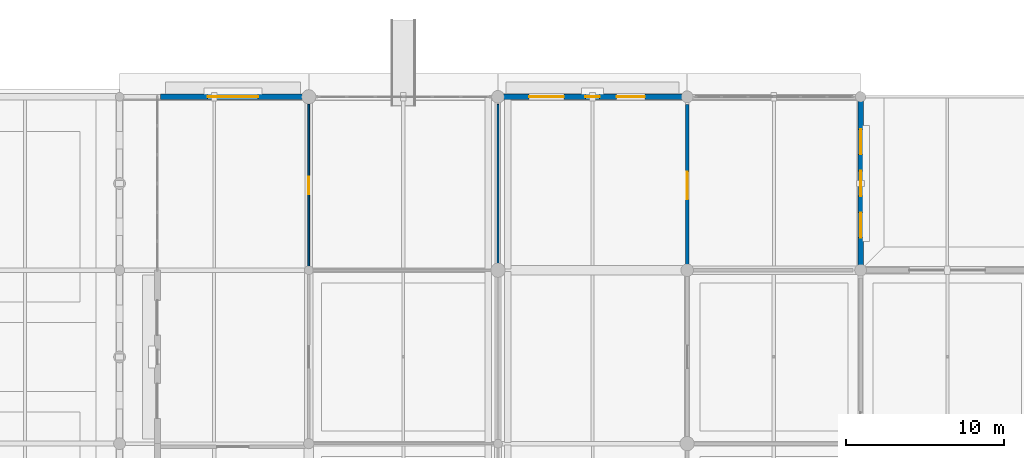
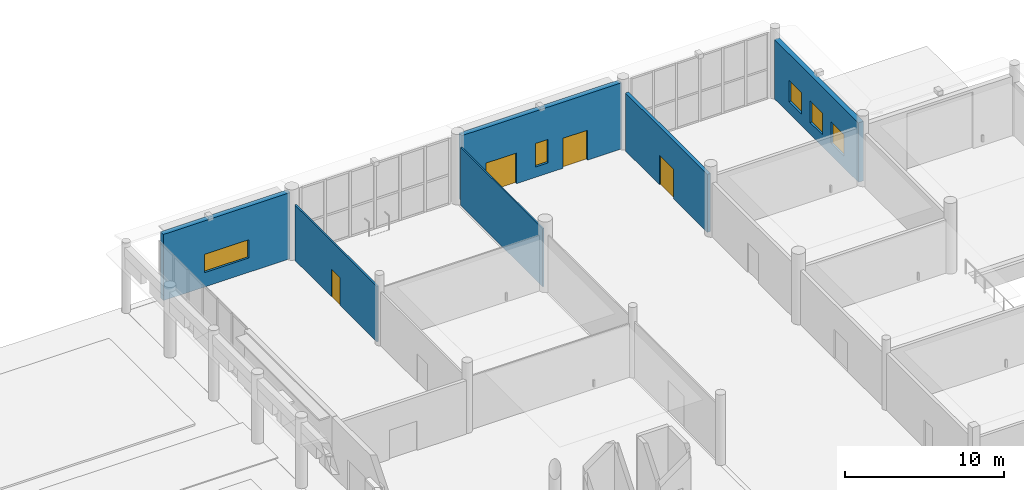
# One storey, part 70 of 120: 6 walls, 5 windows, 4 doors, 9 openings.
"""IFC4 building model written with IfcOpenShell, lengths in metres."""

from ifc_helpers import new_model, si_unit, direction, frame, frame_2d, origin, place, context, subcontext, project, spatial, rectangle, extrude, material, layer, layer_set, type_object, element, fill, save


model = new_model("IFC4")

# Units and contexts
model_context = context("Model", 3, precision=1e-05, world=origin(), true_north=direction((0.0, 1.0)))
body_context = subcontext(model_context, "Body", "Model", "MODEL_VIEW")
ifc_project = project(units=[si_unit("LENGTHUNIT", "METRE"), si_unit("AREAUNIT", "SQUARE_METRE"), si_unit("VOLUMEUNIT", "CUBIC_METRE"), si_unit("PLANEANGLEUNIT", "RADIAN"), si_unit("MASSUNIT", "GRAM", prefix="KILO")], contexts=[model_context])

# Site, building, storey
site_placement = place(None, origin())
site = spatial("IfcSite", under=ifc_project, at=site_placement, CompositionType="ELEMENT")
building_placement = place(site_placement, origin())
building = spatial("IfcBuilding", under=site, at=building_placement, Name="Luwafu Chhajja Arena", CompositionType="ELEMENT")
storey_placement = place(building_placement, origin())
storey = spatial("IfcBuildingStorey", under=building, at=storey_placement, Name="L00", CompositionType="ELEMENT", Elevation=0.0)

# Wall, opening, door
ifc_material_1 = material(Name="Concrete blockwork masonry", Category="masonry")
ifc_layer_1 = layer(ifc_material_1, 0.239990234375, Name="Concrete blockwork masonry")
ifc_layer_set_1 = layer_set([ifc_layer_1], Name="Concrete blockwork masonry")
wall_type_1 = type_object("IfcWallType", Name="Compartment Masonry Partition 240", PredefinedType="PARTITIONING", material=ifc_layer_set_1)
wall_1_placement = place(storey_placement, frame((176.0, 121.219970703125, 0.0), z_axis=(0.0, 0.0, 1.0), x_axis=(0.0, 1.0, 0.0)))
wall_1 = element("IfcWall", 1, at=wall_1_placement, inside=storey, type_object=wall_type_1, Name="L00 Internal Partition 0186", PredefinedType="PARTITIONING", context=body_context, shape_type="SweptSolid", body=[
    extrude(rectangle(XDim=10.300048828125, YDim=0.239990234375, at=frame_2d((5.14990234375, 0.0))), origin(), (0.0, 0.0, 1.0), 4.437744140625),
])
opening_1_placement = place(wall_1_placement, frame((4.27490234375, 0.0, 0.0)))
opening_1 = element("IfcOpeningElement", 2, at=opening_1_placement, cuts=wall_1, Name="Opening DR-09", PredefinedType="OPENING", context=body_context, shape_type="SweptSolid", body=[
    extrude(rectangle(XDim=1.75, YDim=2.25, at=frame_2d((0.875, 1.125))), frame((0.0, 0.1298828125, 0.0), z_axis=(0.0, -1.0, 0.0), x_axis=(1.0, 0.0, 0.0)), (0.0, 0.0, 1.0), 0.260009765625),
])
ifc_material_2 = material(Name="Powder-coated steel fire leaf", Category="steel")
door_type_1 = type_object("IfcDoorType", Name="DR-09", OperationType="DOUBLE_DOOR_SINGLE_SWING", PredefinedType="DOOR", material=ifc_material_2)
door_1_placement = place(opening_1_placement, origin())
door_1 = element("IfcDoor", 3, at=door_1_placement, inside=storey, type_object=door_type_1, Name="L00 Interior Door L00-D057", OperationType="DOUBLE_DOOR_SINGLE_SWING", OverallHeight=2.25, OverallWidth=1.75, PredefinedType="DOOR", context=body_context, shape_type="SweptSolid", body=[
    extrude(rectangle(XDim=1.75, YDim=2.25, at=frame_2d((0.875, 1.125))), frame((0.0, 0.02490234375, 0.0), z_axis=(0.0, -1.0, 0.0), x_axis=(1.0, 0.0, 0.0)), (0.0, 0.0, 1.0), 0.050048828125),
])
fill(opening_1, door_1)

# Wall
ifc_material_3 = material(Name="Gypsum plasterboard partition")
ifc_layer_2 = layer(ifc_material_3, 0.10009765625, Name="Gypsum plasterboard partition")
ifc_layer_set_2 = layer_set([ifc_layer_2], Name="Gypsum plasterboard partition")
wall_type_2 = type_object("IfcWallType", Name="Drywall Lining Partition 100", PredefinedType="PARTITIONING", material=ifc_layer_set_2)
wall_2_placement = place(storey_placement, frame((164.0, 121.219970703125, 0.0), z_axis=(0.0, 0.0, 1.0), x_axis=(0.0, 1.0, 0.0)))
element("IfcWall", 4, at=wall_2_placement, inside=storey, type_object=wall_type_2, Name="L00 Internal Partition 0180", PredefinedType="PARTITIONING", context=body_context, shape_type="SweptSolid", body=[
    extrude(rectangle(XDim=10.300048828125, YDim=0.10009765625, at=frame_2d((5.14990234375, 0.0))), origin(), (0.0, 0.0, 1.0), 4.449951171875),
])

# Wall, opening, door
ifc_material_4 = material(Name="Acoustic metal-stud gypsum board")
ifc_layer_3 = layer(ifc_material_4, 0.1201171875, Name="Acoustic metal-stud gypsum board")
ifc_layer_set_3 = layer_set([ifc_layer_3], Name="Acoustic metal-stud gypsum board")
wall_type_3 = type_object("IfcWallType", Name="Internal Room Partition 120", PredefinedType="PARTITIONING", material=ifc_layer_set_3)
wall_3_placement = place(storey_placement, frame((152.0, 121.219970703125, 0.0), z_axis=(0.0, 0.0, 1.0), x_axis=(0.0, 1.0, 0.0)))
wall_3 = element("IfcWall", 5, at=wall_3_placement, inside=storey, type_object=wall_type_3, Name="L00 Internal Partition 0175", PredefinedType="PARTITIONING", context=body_context, shape_type="SweptSolid", body=[
    extrude(rectangle(XDim=10.300048828125, YDim=0.1201171875, at=frame_2d((5.14990234375, 0.0))), origin(), (0.0, 0.0, 1.0), 4.25),
])
opening_2_placement = place(wall_3_placement, frame((4.60009765625, 0.0, 0.0)))
opening_2 = element("IfcOpeningElement", 6, at=opening_2_placement, cuts=wall_3, Name="Opening DR-20", PredefinedType="OPENING", context=body_context, shape_type="SweptSolid", body=[
    extrude(rectangle(XDim=1.10009765625, YDim=2.10009765625, at=frame_2d((0.550048828125, 1.050048828125))), frame((0.0, 0.070068359375, 0.0), z_axis=(0.0, -1.0, 0.0), x_axis=(1.0, 0.0, 0.0)), (0.0, 0.0, 1.0), 0.14013671875),
])
ifc_material_5 = material(Name="Hygienic laminate single leaf")
door_type_2 = type_object("IfcDoorType", Name="DR-20", OperationType="NOTDEFINED", PredefinedType="DOOR", material=ifc_material_5)
door_2_placement = place(opening_2_placement, origin())
door_2 = element("IfcDoor", 7, at=door_2_placement, inside=storey, type_object=door_type_2, Name="L00 Interior Door L00-D050", OperationType="SINGLE_SWING_RIGHT", OverallHeight=2.10009765625, OverallWidth=1.10009765625, PredefinedType="DOOR", context=body_context, shape_type="SweptSolid", body=[
    extrude(rectangle(XDim=1.10009765625, YDim=2.10009765625, at=frame_2d((0.550048828125, 1.050048828125))), frame((0.0, 0.02490234375, 0.0), z_axis=(0.0, -1.0, 0.0), x_axis=(1.0, 0.0, 0.0)), (0.0, 0.0, 1.0), 0.050048828125),
])
fill(opening_2, door_2)

# Wall, opening, window
ifc_material_6 = material(Name="Concrete C35/45", Category="concrete")
ifc_layer_4 = layer(ifc_material_6, 0.360107421875, Name="Concrete C35/45")
ifc_layer_set_4 = layer_set([ifc_layer_4], Name="Concrete C35/45")
wall_type_4 = type_object("IfcWallType", Name="Sandstone Backed Exterior Wall 360", PredefinedType="SOLIDWALL", material=ifc_layer_set_4)
wall_4_placement = place(storey_placement, frame((142.60009765625, 132.0, 0.0), z_axis=(0.0, 0.0, 1.0), x_axis=(1.0, 0.0, 0.0)))
wall_4 = element("IfcWall", 8, at=wall_4_placement, inside=storey, type_object=wall_type_4, Name="L00 Exterior Wall WEX-L00-085", PredefinedType="SOLIDWALL", context=body_context, shape_type="SweptSolid", body=[
    extrude(rectangle(XDim=9.179931640625, YDim=0.360107421875, at=frame_2d((4.58984375, 0.0))), origin(), (0.0, 0.0, 1.0), 5.06494140625),
])
opening_3_placement = place(wall_4_placement, frame((2.989990234375, 0.0, 1.10009765625)))
opening_3 = element("IfcOpeningElement", 9, at=opening_3_placement, cuts=wall_4, Name="Opening WN-08", PredefinedType="OPENING", context=body_context, shape_type="SweptSolid", body=[
    extrude(rectangle(XDim=3.199951171875, YDim=1.39990234375, at=frame_2d((1.60009765625, 0.699951171875))), frame((0.0, 0.18994140625, 0.0), z_axis=(0.0, -1.0, 0.0), x_axis=(1.0, 0.0, 0.0)), (0.0, 0.0, 1.0), 0.380126953125),
])
ifc_material_7 = material(Name="Solar-control laminated glass", Category="glass")
window_type_1 = type_object("IfcWindowType", Name="Warm-Up Court Clerestory Window 3200x1400", PartitioningType="SINGLE_PANEL", PredefinedType="WINDOW", material=ifc_material_7)
window_1_placement = place(opening_3_placement, origin())
window_1 = element("IfcWindow", 10, at=window_1_placement, inside=storey, type_object=window_type_1, Name="L00 Facade Window 281", OverallHeight=1.39990234375, OverallWidth=3.199951171875, PartitioningType="SINGLE_PANEL", PredefinedType="WINDOW", context=body_context, shape_type="SweptSolid", body=[
    extrude(rectangle(XDim=3.199951171875, YDim=1.39990234375, at=frame_2d((1.60009765625, 0.699951171875))), frame((0.0, 0.030029296875, 0.0), z_axis=(0.0, -1.0, 0.0), x_axis=(1.0, 0.0, 0.0)), (0.0, 0.0, 1.0), 0.06005859375),
])
fill(opening_3, window_1)

# Wall, openings, doors, window
wall_5_placement = place(storey_placement, frame((164.219970703125, 132.0, 0.0), z_axis=(0.0, 0.0, 1.0), x_axis=(1.0, 0.0, 0.0)))
wall_5 = element("IfcWall", 11, at=wall_5_placement, inside=storey, type_object=wall_type_4, Name="L00 Exterior Wall WEX-L00-088", PredefinedType="SOLIDWALL", context=body_context, shape_type="SweptSolid", body=[
    extrude(rectangle(XDim=11.56005859375, YDim=0.360107421875, at=frame_2d((5.780029296875, 0.0))), origin(), (0.0, 0.0, 1.0), 5.06494140625),
])
opening_4_placement = place(wall_5_placement, frame((1.755615234375, 0.0, 0.0)))
opening_4 = element("IfcOpeningElement", 12, at=opening_4_placement, cuts=wall_5, Name="Opening DR-03", PredefinedType="OPENING", context=body_context, shape_type="SweptSolid", body=[
    extrude(rectangle(XDim=2.199951171875, YDim=2.35009765625, at=frame_2d((1.10009765625, 1.175048828125))), frame((0.0, 0.18994140625, 0.0), z_axis=(0.0, -1.0, 0.0), x_axis=(1.0, 0.0, 0.0)), (0.0, 0.0, 1.0), 0.380126953125),
])
opening_5_placement = place(wall_5_placement, frame((7.304443359375, 0.0, 0.0)))
opening_5 = element("IfcOpeningElement", 13, at=opening_5_placement, cuts=wall_5, Name="Opening DR-04", PredefinedType="OPENING", context=body_context, shape_type="SweptSolid", body=[
    extrude(rectangle(XDim=1.800048828125, YDim=2.300048828125, at=frame_2d((0.89990234375, 1.14990234375))), frame((0.0, 0.18994140625, 0.0), z_axis=(0.0, -1.0, 0.0), x_axis=(1.0, 0.0, 0.0)), (0.0, 0.0, 1.0), 0.380126953125),
])
opening_6_placement = place(wall_5_placement, frame((5.330078125, 0.0, 0.800048828125)))
opening_6 = element("IfcOpeningElement", 14, at=opening_6_placement, cuts=wall_5, Name="Opening WN-16", PredefinedType="OPENING", context=body_context, shape_type="SweptSolid", body=[
    extrude(rectangle(XDim=0.89990234375, YDim=1.800048828125, at=frame_2d((0.449951171875, 0.89990234375))), frame((0.0, 0.18994140625, 0.0), z_axis=(0.0, -1.0, 0.0), x_axis=(1.0, 0.0, 0.0)), (0.0, 0.0, 1.0), 0.380126953125),
])
ifc_material_8 = material(Name="Powder-coated steel leaf", Category="steel")
door_type_3 = type_object("IfcDoorType", Name="DR-04", OperationType="DOUBLE_DOOR_SINGLE_SWING", PredefinedType="DOOR", material=ifc_material_8)
door_3_placement = place(opening_5_placement, origin())
door_3 = element("IfcDoor", 15, at=door_3_placement, inside=storey, type_object=door_type_3, Name="Plant service door SD-01", OperationType="DOUBLE_DOOR_SINGLE_SWING", OverallHeight=2.300048828125, OverallWidth=1.800048828125, PredefinedType="DOOR", context=body_context, shape_type="SweptSolid", body=[
    extrude(rectangle(XDim=1.800048828125, YDim=2.300048828125, at=frame_2d((0.89990234375, 1.14990234375))), frame((0.0, 0.02490234375, 0.0), z_axis=(0.0, -1.0, 0.0), x_axis=(1.0, 0.0, 0.0)), (0.0, 0.0, 1.0), 0.050048828125),
])
fill(opening_5, door_3)
ifc_material_9 = material(Name="Fire-rated bronze aluminium and glazed vision leaves", Category="aluminium")
door_type_4 = type_object("IfcDoorType", Name="DR-03", OperationType="DOUBLE_DOOR_SINGLE_SWING", PredefinedType="DOOR", material=ifc_material_9)
door_4_placement = place(opening_4_placement, origin())
door_4 = element("IfcDoor", 16, at=door_4_placement, inside=storey, type_object=door_type_4, Name="Main exit E-24", OperationType="DOUBLE_DOOR_SINGLE_SWING", OverallHeight=2.35009765625, OverallWidth=2.199951171875, PredefinedType="DOOR", context=body_context, shape_type="SweptSolid", body=[
    extrude(rectangle(XDim=2.199951171875, YDim=2.35009765625, at=frame_2d((1.10009765625, 1.175048828125))), frame((0.0, 0.02490234375, 0.0), z_axis=(0.0, -1.0, 0.0), x_axis=(1.0, 0.0, 0.0)), (0.0, 0.0, 1.0), 0.050048828125),
])
fill(opening_4, door_4)
window_type_2 = type_object("IfcWindowType", Name="Stair Core Daylight Slot Window 900x1800", PartitioningType="SINGLE_PANEL", PredefinedType="WINDOW", material=ifc_material_7)
window_2_placement = place(opening_6_placement, origin())
window_2 = element("IfcWindow", 17, at=window_2_placement, inside=storey, type_object=window_type_2, Name="L00 Facade Window 284", OverallHeight=1.800048828125, OverallWidth=0.89990234375, PartitioningType="SINGLE_PANEL", PredefinedType="WINDOW", context=body_context, shape_type="SweptSolid", body=[
    extrude(rectangle(XDim=0.89990234375, YDim=1.800048828125, at=frame_2d((0.449951171875, 0.89990234375))), frame((0.0, 0.030029296875, 0.0), z_axis=(0.0, -1.0, 0.0), x_axis=(1.0, 0.0, 0.0)), (0.0, 0.0, 1.0), 0.06005859375),
])
fill(opening_6, window_2)

# Wall, openings, windows
wall_6_placement = place(storey_placement, frame((187.0, 121.219970703125, 0.0), z_axis=(0.0, 0.0, 1.0), x_axis=(0.0, 1.0, 0.0)))
wall_6 = element("IfcWall", 18, at=wall_6_placement, inside=storey, type_object=wall_type_4, Name="L00 Exterior Wall WEX-L00-090", PredefinedType="SOLIDWALL", context=body_context, shape_type="SweptSolid", body=[
    extrude(rectangle(XDim=10.56005859375, YDim=0.360107421875, at=frame_2d((5.280029296875, 0.0))), origin(), (0.0, 0.0, 1.0), 4.550048828125),
])
opening_7_placement = place(wall_6_placement, frame((1.840087890625, 0.0, 0.89990234375)))
opening_7 = element("IfcOpeningElement", 19, at=opening_7_placement, cuts=wall_6, Name="Opening WN-13", PredefinedType="OPENING", context=body_context, shape_type="SweptSolid", body=[
    extrude(rectangle(XDim=1.60009765625, YDim=1.64990234375, at=frame_2d((0.800048828125, 0.824951171875))), frame((0.0, 0.18994140625, 0.0), z_axis=(0.0, -1.0, 0.0), x_axis=(1.0, 0.0, 0.0)), (0.0, 0.0, 1.0), 0.380126953125),
])
opening_8_placement = place(wall_6_placement, frame((4.47998046875, 0.0, 0.89990234375)))
opening_8 = element("IfcOpeningElement", 20, at=opening_8_placement, cuts=wall_6, Name="Opening WN-13", PredefinedType="OPENING", context=body_context, shape_type="SweptSolid", body=[
    extrude(rectangle(XDim=1.60009765625, YDim=1.64990234375, at=frame_2d((0.800048828125, 0.824951171875))), frame((0.0, 0.18994140625, 0.0), z_axis=(0.0, -1.0, 0.0), x_axis=(1.0, 0.0, 0.0)), (0.0, 0.0, 1.0), 0.380126953125),
])
opening_9_placement = place(wall_6_placement, frame((7.1201171875, 0.0, 0.89990234375)))
opening_9 = element("IfcOpeningElement", 21, at=opening_9_placement, cuts=wall_6, Name="Opening WN-13", PredefinedType="OPENING", context=body_context, shape_type="SweptSolid", body=[
    extrude(rectangle(XDim=1.60009765625, YDim=1.64990234375, at=frame_2d((0.800048828125, 0.824951171875))), frame((0.0, 0.18994140625, 0.0), z_axis=(0.0, -1.0, 0.0), x_axis=(1.0, 0.0, 0.0)), (0.0, 0.0, 1.0), 0.380126953125),
])
window_type_3 = type_object("IfcWindowType", Name="Administration Office Window 1600x1650", PartitioningType="SINGLE_PANEL", PredefinedType="WINDOW", material=ifc_material_7)
window_3_placement = place(opening_7_placement, origin())
window_3 = element("IfcWindow", 22, at=window_3_placement, inside=storey, type_object=window_type_3, Name="L00 Facade Window 286", OverallHeight=1.64990234375, OverallWidth=1.60009765625, PartitioningType="SINGLE_PANEL", PredefinedType="WINDOW", context=body_context, shape_type="SweptSolid", body=[
    extrude(rectangle(XDim=1.60009765625, YDim=1.64990234375, at=frame_2d((0.800048828125, 0.824951171875))), frame((0.0, 0.030029296875, 0.0), z_axis=(0.0, -1.0, 0.0), x_axis=(1.0, 0.0, 0.0)), (0.0, 0.0, 1.0), 0.06005859375),
])
fill(opening_7, window_3)
window_4_placement = place(opening_8_placement, origin())
window_4 = element("IfcWindow", 23, at=window_4_placement, inside=storey, type_object=window_type_3, Name="L00 Facade Window 287", OverallHeight=1.64990234375, OverallWidth=1.60009765625, PartitioningType="SINGLE_PANEL", PredefinedType="WINDOW", context=body_context, shape_type="SweptSolid", body=[
    extrude(rectangle(XDim=1.60009765625, YDim=1.64990234375, at=frame_2d((0.800048828125, 0.824951171875))), frame((0.0, 0.030029296875, 0.0), z_axis=(0.0, -1.0, 0.0), x_axis=(1.0, 0.0, 0.0)), (0.0, 0.0, 1.0), 0.06005859375),
])
fill(opening_8, window_4)
window_5_placement = place(opening_9_placement, origin())
window_5 = element("IfcWindow", 24, at=window_5_placement, inside=storey, type_object=window_type_3, Name="L00 Facade Window 288", OverallHeight=1.64990234375, OverallWidth=1.60009765625, PartitioningType="SINGLE_PANEL", PredefinedType="WINDOW", context=body_context, shape_type="SweptSolid", body=[
    extrude(rectangle(XDim=1.60009765625, YDim=1.64990234375, at=frame_2d((0.800048828125, 0.824951171875))), frame((0.0, 0.030029296875, 0.0), z_axis=(0.0, -1.0, 0.0), x_axis=(1.0, 0.0, 0.0)), (0.0, 0.0, 1.0), 0.06005859375),
])
fill(opening_9, window_5)

save(model, "model.ifc")
